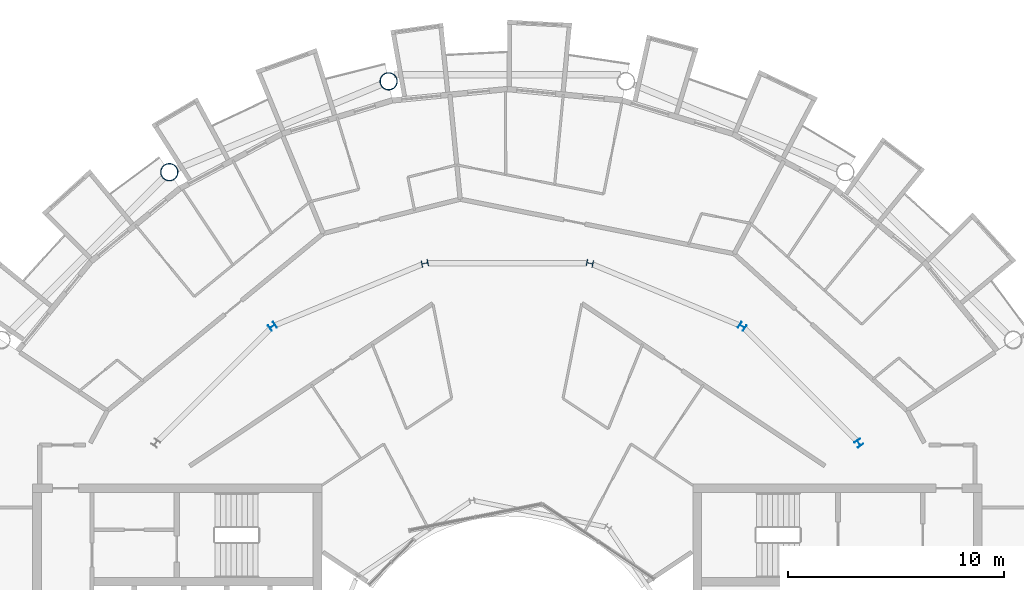
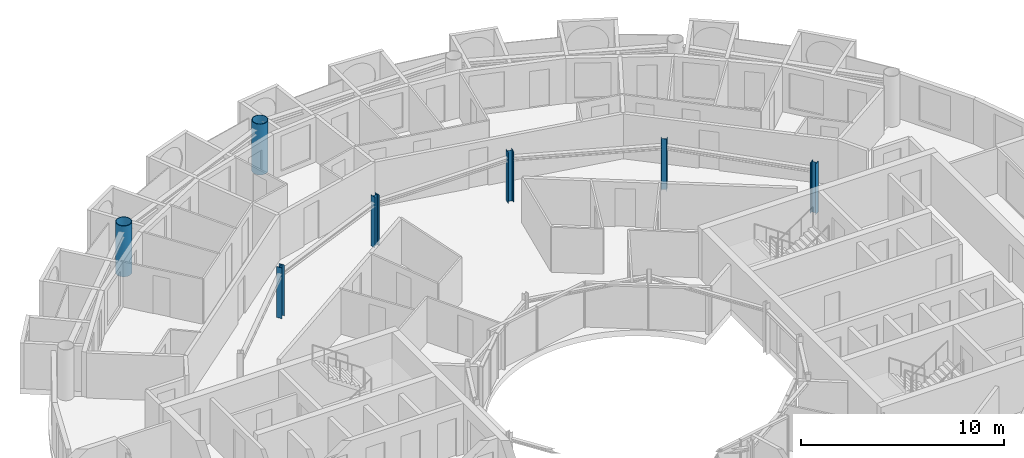
# One storey, part 5 of 28: 7 columns.
"""IFC4 building model written with IfcOpenShell, lengths in metres."""

from ifc_helpers import new_model, si_unit, direction, frame, origin, origin_2d, place, context, subcontext, project, spatial, hollow_circle, i_section, extrude, material, material_profile, profile_set, type_object, element, save


model = new_model("IFC4")

# Units and contexts
model_context = context("Model", 3, precision=1e-05, world=origin(), true_north=direction((0.0, 1.0)))
body_context = subcontext(model_context, "Body", "Model", "MODEL_VIEW")
ifc_project = project(units=[si_unit("LENGTHUNIT", "METRE"), si_unit("AREAUNIT", "SQUARE_METRE"), si_unit("VOLUMEUNIT", "CUBIC_METRE"), si_unit("PLANEANGLEUNIT", "RADIAN"), si_unit("MASSUNIT", "GRAM", prefix="KILO")], contexts=[model_context])

# Site, building, storey
site_placement = place(None, origin())
site = spatial("IfcSite", under=ifc_project, at=site_placement, CompositionType="ELEMENT")
building_placement = place(site_placement, origin())
building = spatial("IfcBuilding", under=site, at=building_placement, Name="Maasbend Ring Residences", CompositionType="ELEMENT")
storey_placement = place(building_placement, frame((0.0, 0.0, 227.949951171875)))
storey = spatial("IfcBuildingStorey", under=building, at=storey_placement, Name="L65", CompositionType="ELEMENT", Elevation=227.949951171875)

# Columns
ifc_material_1 = material(Name="Composite concrete-filled steel tube S460NH / C80/95", Category="concrete")
ifc_material_profile_1 = material_profile(ifc_material_1, hollow_circle(Radius=0.406494140625, WallThickness=0.030029296875, at=origin_2d()), Name="Composite tube column CHS 813x30")
ifc_profile_set_1 = profile_set([ifc_material_profile_1], Name="Composite concrete-filled steel tube S460NH / C80/95")
column_type_1 = type_object("IfcColumnType", Name="Composite tube column CHS 813x30", PredefinedType="COLUMN", material=ifc_profile_set_1)
for number, where, z_axis, x_axis, name in (
    (1, (-5.50146484375, 27.658203125, 0.0), (0.0, 0.0, 1.0), (1.0, 0.0, 0.0), "Outer column R5"),
    (2, (-15.6669921875, 23.447509765625, 0.0), (0.0, 0.0, 1.0), (1.0, 0.0, 0.0), "Outer column R6"),
):
    element("IfcColumn", number, at=place(storey_placement, frame(where, z_axis=z_axis, x_axis=x_axis)), inside=storey, type_object=column_type_1, Name=name, PredefinedType="COLUMN", context=body_context, shape_type="SweptSolid", body=[
        extrude(hollow_circle(Radius=0.406494140625, WallThickness=0.030029296875, at=origin_2d()), origin(), (0.0, 0.0, 1.0), 3.050048828125),
    ])
ifc_material_2 = material(Name="Steel S355J2", Category="steel")
ifc_material_profile_2 = material_profile(ifc_material_2, i_section(OverallWidth=0.300048828125, OverallDepth=0.300048828125, WebThickness=0.010986328125, FlangeThickness=0.01904296875, FilletRadius=0.027099609375, at=origin_2d()), Name="HEB 300")
ifc_profile_set_2 = profile_set([ifc_material_profile_2], Name="Steel S355J2")
column_type_2 = type_object("IfcColumnType", Name="Steel column HEB 300", PredefinedType="COLUMN", material=ifc_profile_set_2)
for number, where, z_axis, x_axis, name in (
    (3, (16.296875, 10.88916015625, 0.0), (0.0, 0.0, 1.0), (0.831469612303, 0.55557023302, 0.0), "Corridor ring column R2"),
    (4, (10.88916015625, 16.296875, 0.0), (0.0, 0.0, 1.0), (0.55557023302, 0.831469612303, 0.0), "Corridor ring column R3"),
    (5, (3.82373046875, 19.223388671875, 0.0), (0.0, 0.0, 1.0), (0.195090322016, 0.980785280403, 0.0), "Corridor ring column R4"),
    (6, (-3.82373046875, 19.223388671875, 0.0), (0.0, 0.0, 1.0), (-0.195090322016, 0.980785280403, 0.0), "Corridor ring column R5"),
    (7, (-10.88916015625, 16.296875, 0.0), (0.0, 0.0, 1.0), (-0.55557023302, 0.831469612303, 0.0), "Corridor ring column R6"),
):
    element("IfcColumn", number, at=place(storey_placement, frame(where, z_axis=z_axis, x_axis=x_axis)), inside=storey, type_object=column_type_2, Name=name, PredefinedType="COLUMN", context=body_context, shape_type="SweptSolid", body=[
        extrude(i_section(OverallWidth=0.300048828125, OverallDepth=0.300048828125, WebThickness=0.010986328125, FlangeThickness=0.01904296875, FilletRadius=0.027099609375, at=origin_2d()), origin(), (0.0, 0.0, 1.0), 3.050048828125),
    ])

save(model, "model.ifc")
